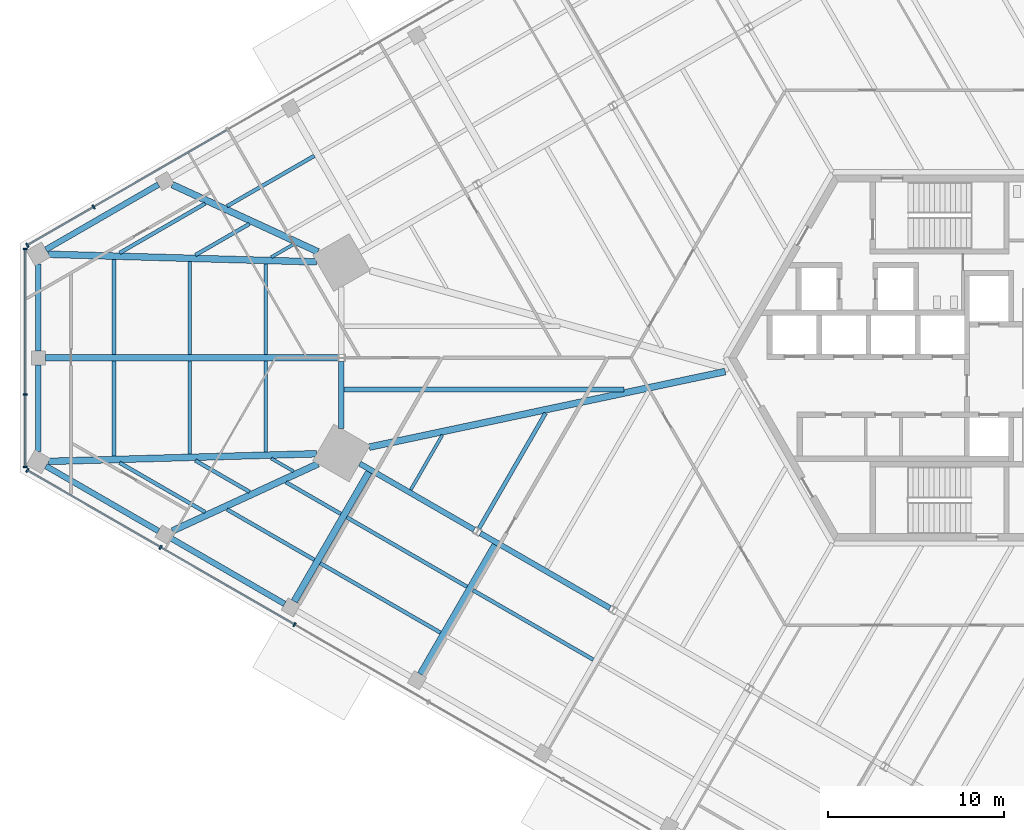
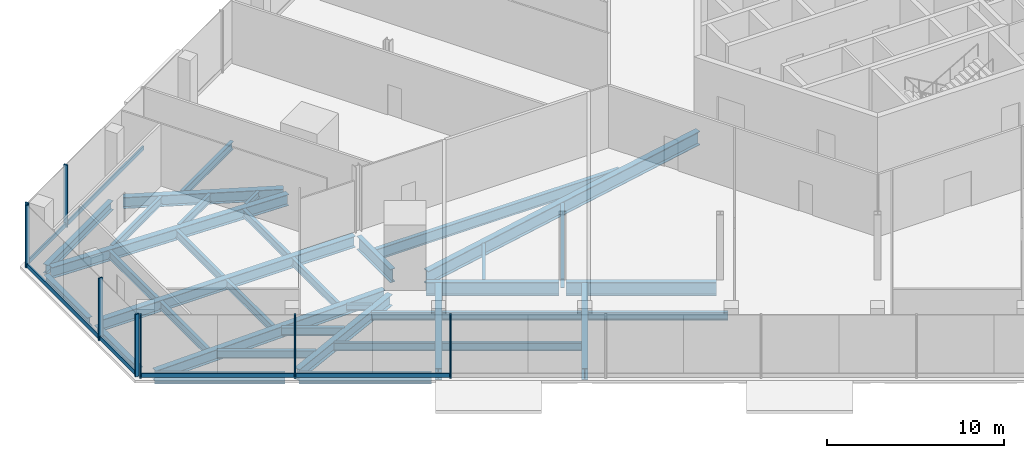
# One storey, part 7 of 27: 37 beams, 14 members, 3 elements without a shape of their own.
"""IFC4 building model written with IfcOpenShell, lengths in metres."""

from ifc_helpers import new_model, si_unit, direction, frame, origin, origin_2d, place, context, subcontext, project, spatial, rectangle, i_section, extrude, source, transform, mapped, material, material_profile, profile_set, type_object, element, aggregate, save


model = new_model("IFC4")

# Units and contexts
model_context = context("Model", 3, precision=1e-05, world=origin(), true_north=direction((0.0, 1.0)))
body_context = subcontext(model_context, "Body", "Model", "MODEL_VIEW")
ifc_project = project(units=[si_unit("LENGTHUNIT", "METRE"), si_unit("AREAUNIT", "SQUARE_METRE"), si_unit("VOLUMEUNIT", "CUBIC_METRE"), si_unit("PLANEANGLEUNIT", "RADIAN"), si_unit("MASSUNIT", "GRAM", prefix="KILO")], contexts=[model_context])

# Site, building, storey
site_placement = place(None, origin())
site = spatial("IfcSite", under=ifc_project, at=site_placement, CompositionType="ELEMENT")
building_placement = place(site_placement, origin())
building = spatial("IfcBuilding", under=site, at=building_placement, Name="Triune Harvest Tower", CompositionType="ELEMENT")
storey_placement = place(building_placement, frame((0.0, 0.0, 7.0)))
storey = spatial("IfcBuildingStorey", under=building, at=storey_placement, Name="L01", CompositionType="ELEMENT", Elevation=7.0)

# Beams
ifc_material_1 = material(Name="Steel ASTM A992 Gr 50", Category="steel")
ifc_material_profile_1 = material_profile(ifc_material_1, i_section(OverallWidth=0.309814453125, OverallDepth=0.93212890625, WebThickness=0.02099609375, FlangeThickness=0.034423828125, at=origin_2d()), Name="W36x210")
ifc_profile_set_1 = profile_set([ifc_material_profile_1], Name="Steel ASTM A992 Gr 50")
beam_type_1 = type_object("IfcBeamType", Name="SB-3 Spandrel beam W36x210", PredefinedType="SPANDREL", material=ifc_profile_set_1)
shared_shape_1 = source(origin(), body_context, "Body", "SweptSolid", [
    extrude(i_section(OverallWidth=0.309814453125, OverallDepth=0.93212890625, WebThickness=0.02099609375, FlangeThickness=0.034423828125, at=origin_2d()), origin(), (0.0, 0.0, 1.0), 7.508056640625),
])
beam_1_placement = place(storey_placement, frame((-32.949462890625, -6.010009765625, -0.666015625), z_axis=(0.866033425553, -0.499986105632, 0.0), x_axis=(0.499986105632, 0.866033425553, 0.0)))
element("IfcBeam", 1, at=beam_1_placement, inside=storey, type_object=beam_type_1, Name="beam/L01/SB17", PredefinedType="SPANDREL", context=body_context, shape_type="MappedRepresentation", body=[
    mapped(shared_shape_1, transform((0.0, 0.0, 0.0), scale=1.0)),
])
shared_shape_2 = source(origin(), body_context, "Body", "SweptSolid", [
    extrude(i_section(OverallWidth=0.309814453125, OverallDepth=0.93212890625, WebThickness=0.02099609375, FlangeThickness=0.034423828125, at=origin_2d()), origin(), (0.0, 0.0, 1.0), 8.506103515625),
])
beam_2_placement = place(storey_placement, frame((-26.097412109375, -9.966064453125, -0.666015625), z_axis=(0.866030246746, -0.49999161165, 0.0), x_axis=(0.49999161165, 0.866030246746, 0.0)))
element("IfcBeam", 2, at=beam_2_placement, inside=storey, type_object=beam_type_1, Name="beam/L01/SB18", PredefinedType="SPANDREL", context=body_context, shape_type="MappedRepresentation", body=[
    mapped(shared_shape_2, transform((0.0, 0.0, 0.0), scale=1.0)),
])
shared_shape_3 = source(origin(), body_context, "Body", "SweptSolid", [
    extrude(i_section(OverallWidth=0.309814453125, OverallDepth=0.93212890625, WebThickness=0.02099609375, FlangeThickness=0.034423828125, at=origin_2d()), origin(), (0.0, 0.0, 1.0), 3.822509765625),
])
beam_3_placement = place(storey_placement, frame((-33.988525390625, -0.201904296875, -0.666015625), z_axis=(0.0, -1.0, 0.0), x_axis=(1.0, 0.0, 0.0)))
element("IfcBeam", 3, at=beam_3_placement, inside=storey, type_object=beam_type_1, Name="beam/L01/SB16", PredefinedType="SPANDREL", context=body_context, shape_type="MappedRepresentation", body=[
    mapped(shared_shape_3, transform((0.0, 0.0, 0.0), scale=1.0)),
])
ifc_material_2 = material(Name="Steel ASTM A992 Gr 50", Category="steel")
ifc_material_profile_2 = material_profile(ifc_material_2, i_section(OverallWidth=0.383544921875, OverallDepth=0.9423828125, WebThickness=0.022216796875, FlangeThickness=0.039794921875, at=origin_2d()), Name="W36x232")
ifc_profile_set_2 = profile_set([ifc_material_profile_2], Name="Steel ASTM A992 Gr 50")
beam_type_2 = type_object("IfcBeamType", Name="HG-1 Hip girder W36x232", PredefinedType="BEAM", material=ifc_profile_set_2)
shared_shape_4 = source(origin(), body_context, "Body", "SweptSolid", [
    extrude(i_section(OverallWidth=0.383544921875, OverallDepth=0.9423828125, WebThickness=0.022216796875, FlangeThickness=0.039794921875, at=origin_2d()), origin(), (0.0, 0.0, 1.0), 20.676025390625),
])
beam_4_placement = place(storey_placement, frame((-32.4091796875, -5.07470703125, -0.671142578125), z_axis=(0.978185071399, 0.207735327022, 0.0), x_axis=(-0.207735327022, 0.978185071399, 0.0)))
element("IfcBeam", 4, at=beam_4_placement, inside=storey, type_object=beam_type_2, Name="beam/L01/HG5", PredefinedType="BEAM", context=body_context, shape_type="MappedRepresentation", body=[
    mapped(shared_shape_4, transform((0.0, 0.0, 0.0), scale=1.0)),
])
ifc_material_3 = material(Name="Steel ASTM A992 Gr 50", Category="steel")
ifc_material_profile_3 = material_profile(ifc_material_3, i_section(OverallWidth=0.22900390625, OverallDepth=0.612060546875, WebThickness=0.011962890625, FlangeThickness=0.01953125, at=origin_2d()), Name="W24x84")
ifc_profile_set_3 = profile_set([ifc_material_profile_3], Name="Steel ASTM A992 Gr 50")
beam_type_3 = type_object("IfcBeamType", Name="JT-3 Floor joist W24x84", PredefinedType="JOIST", material=ifc_profile_set_3)
shared_shape_5 = source(origin(), body_context, "Body", "SweptSolid", [
    extrude(i_section(OverallWidth=0.22900390625, OverallDepth=0.612060546875, WebThickness=0.011962890625, FlangeThickness=0.01953125, at=origin_2d()), origin(), (0.0, 0.0, 1.0), 7.558349609375),
])
beam_5_placement = place(storey_placement, frame((-26.170654296875, -9.68896484375, -0.506103515625), z_axis=(0.499991809969, 0.866030132249, 0.0), x_axis=(-0.866030132249, 0.499991809969, 0.0)))
element("IfcBeam", 5, at=beam_5_placement, inside=storey, type_object=beam_type_3, Name="beam/L01/JT28", PredefinedType="JOIST", context=body_context, shape_type="MappedRepresentation", body=[
    mapped(shared_shape_5, transform((0.0, 0.0, 0.0), scale=1.0)),
])
ifc_material_4 = material(Name="Steel ASTM A992 Gr 50", Category="steel")
ifc_material_profile_4 = material_profile(ifc_material_4, i_section(OverallWidth=0.2666015625, OverallDepth=0.7568359375, WebThickness=0.013916015625, FlangeThickness=0.019287109375, at=origin_2d()), Name="W30x108")
ifc_profile_set_4 = profile_set([ifc_material_profile_4], Name="Steel ASTM A992 Gr 50")
beam_type_4 = type_object("IfcBeamType", Name="JT-5 Floor joist W30x108", PredefinedType="JOIST", material=ifc_profile_set_4)
shared_shape_6 = source(origin(), body_context, "Body", "SweptSolid", [
    extrude(i_section(OverallWidth=0.2666015625, OverallDepth=0.7568359375, WebThickness=0.013916015625, FlangeThickness=0.019287109375, at=origin_2d()), origin(), (0.0, 0.0, 1.0), 15.9052734375),
])
beam_6_placement = place(storey_placement, frame((-33.833740234375, -1.80322265625, -0.57861328125), z_axis=(1.0, 0.0, 0.0), x_axis=(0.0, 1.0, 0.0)))
element("IfcBeam", 6, at=beam_6_placement, inside=storey, type_object=beam_type_4, Name="beam/L01/JT26", PredefinedType="JOIST", context=body_context, shape_type="MappedRepresentation", body=[
    mapped(shared_shape_6, transform((0.0, 0.0, 0.0), scale=1.0)),
])
ifc_material_5 = material(Name="Steel ASTM A992 Gr 50", Category="steel")
ifc_material_profile_5 = material_profile(ifc_material_5, i_section(OverallWidth=0.180908203125, OverallDepth=0.41650390625, WebThickness=0.010986328125, FlangeThickness=0.01806640625, at=origin_2d()), Name="W16x57")
ifc_profile_set_5 = profile_set([ifc_material_profile_5], Name="Steel ASTM A992 Gr 50")
beam_type_5 = type_object("IfcBeamType", Name="JT-1 Floor joist W16x57", PredefinedType="JOIST", material=ifc_profile_set_5)
shared_shape_7 = source(origin(), body_context, "Body", "SweptSolid", [
    extrude(i_section(OverallWidth=0.180908203125, OverallDepth=0.41650390625, WebThickness=0.010986328125, FlangeThickness=0.01806640625, at=origin_2d()), origin(), (0.0, 0.0, 1.0), 3.59716796875),
])
beam_7_placement = place(storey_placement, frame((-30.052978515625, -7.50341796875, -0.408203125), z_axis=(0.500000537794, 0.866025093288, 0.0), x_axis=(-0.866025093288, 0.500000537794, 0.0)))
element("IfcBeam", 7, at=beam_7_placement, inside=storey, type_object=beam_type_5, Name="beam/L01/JT27", PredefinedType="JOIST", context=body_context, shape_type="MappedRepresentation", body=[
    mapped(shared_shape_7, transform((0.0, 0.0, 0.0), scale=1.0)),
])
ifc_material_6 = material(Name="Steel ASTM A992 Gr 50", Category="steel")
ifc_material_profile_6 = material_profile(ifc_material_6, i_section(OverallWidth=0.32763671875, OverallDepth=0.62744140625, WebThickness=0.0166015625, FlangeThickness=0.027587890625, at=origin_2d()), Name="W24x146")
ifc_profile_set_6 = profile_set([ifc_material_profile_6], Name="Steel ASTM A992 Gr 50")
beam_type_6 = type_object("IfcBeamType", Name="PD-4 Podium edge beam W24x146", PredefinedType="BEAM", material=ifc_profile_set_6)
shared_shape_8 = source(origin(), body_context, "Body", "SweptSolid", [
    extrude(i_section(OverallWidth=0.32763671875, OverallDepth=0.62744140625, WebThickness=0.0166015625, FlangeThickness=0.027587890625, at=origin_2d()), origin(), (0.0, 0.0, 1.0), 7.47998046875),
])
beam_8_placement = place(storey_placement, frame((-43.69384765625, -10.239990234375, -0.513671875), z_axis=(0.866023067432, -0.500004046659, 0.0), x_axis=(0.500004046659, 0.866023067432, 0.0)))
element("IfcBeam", 8, at=beam_8_placement, inside=storey, type_object=beam_type_6, Name="beam/L01/PE27", PredefinedType="BEAM", context=body_context, shape_type="MappedRepresentation", body=[
    mapped(shared_shape_8, transform((0.0, 0.0, 0.0), scale=1.0)),
])
shared_shape_9 = source(origin(), body_context, "Body", "SweptSolid", [
    extrude(i_section(OverallWidth=0.32763671875, OverallDepth=0.62744140625, WebThickness=0.0166015625, FlangeThickness=0.027587890625, at=origin_2d()), origin(), (0.0, 0.0, 1.0), 4.922607421875),
])
for number, where, z_axis, x_axis, name in (
    (9, (-51.2109375, 5.322509765625, -0.513671875), (0.0, -1.0, 0.0), (1.0, 0.0, 0.0), "beam/L01/PE24"),
    (10, (-51.2109375, -0.39990234375, -0.513671875), (0.0, -1.0, 0.0), (1.0, 0.0, 0.0), "beam/L01/PE25"),
):
    element("IfcBeam", number, at=place(storey_placement, frame(where, z_axis=z_axis, x_axis=x_axis)), inside=storey, type_object=beam_type_6, Name=name, PredefinedType="BEAM", context=body_context, shape_type="MappedRepresentation", body=[
        mapped(shared_shape_9, transform((0.0, 0.0, 0.0), scale=1.0)),
    ])
shared_shape_10 = source(origin(), body_context, "Body", "SweptSolid", [
    extrude(i_section(OverallWidth=0.32763671875, OverallDepth=0.62744140625, WebThickness=0.0166015625, FlangeThickness=0.027587890625, at=origin_2d()), origin(), (0.0, 0.0, 1.0), 7.380126953125),
])
for number, where, z_axis, x_axis, name in (
    (11, (-44.38671875, 9.840087890625, -0.513671875), (-0.866017563931, -0.500013578778, 0.0), (0.500013578778, -0.866017563931, 0.0), "beam/L01/PE23"),
    (12, (-50.778076171875, -6.14990234375, -0.513671875), (0.866017563931, -0.500013578778, 0.0), (0.500013578778, 0.866017563931, 0.0), "beam/L01/PE26"),
):
    element("IfcBeam", number, at=place(storey_placement, frame(where, z_axis=z_axis, x_axis=x_axis)), inside=storey, type_object=beam_type_6, Name=name, PredefinedType="BEAM", context=body_context, shape_type="MappedRepresentation", body=[
        mapped(shared_shape_10, transform((0.0, 0.0, 0.0), scale=1.0)),
    ])
ifc_material_7 = material(Name="Steel ASTM A992 Gr 50", Category="steel")
ifc_material_profile_7 = material_profile(ifc_material_7, i_section(OverallWidth=0.381103515625, OverallDepth=0.772216796875, WebThickness=0.0166015625, FlangeThickness=0.027099609375, at=origin_2d()), Name="W30x173")
ifc_profile_set_7 = profile_set([ifc_material_profile_7], Name="Steel ASTM A992 Gr 50")
beam_type_7 = type_object("IfcBeamType", Name="PD-3 Podium girder W30x173", PredefinedType="BEAM", material=ifc_profile_set_7)
shared_shape_11 = source(origin(), body_context, "Body", "SweptSolid", [
    extrude(i_section(OverallWidth=0.381103515625, OverallDepth=0.772216796875, WebThickness=0.0166015625, FlangeThickness=0.027099609375, at=origin_2d()), origin(), (0.0, 0.0, 1.0), 8.480712890625),
])
beam_9_placement = place(storey_placement, frame((-29.498779296875, -17.9736328125, -0.586181640625), z_axis=(0.499990755813, 0.866030740852, 0.0), x_axis=(-0.866030740852, 0.499990755813, 0.0)))
element("IfcBeam", 13, at=beam_9_placement, inside=storey, type_object=beam_type_7, Name="beam/L01/PR31", PredefinedType="BEAM", context=body_context, shape_type="MappedRepresentation", body=[
    mapped(shared_shape_11, transform((0.0, 0.0, 0.0), scale=1.0)),
])
shared_shape_12 = source(origin(), body_context, "Body", "SweptSolid", [
    extrude(i_section(OverallWidth=0.381103515625, OverallDepth=0.772216796875, WebThickness=0.0166015625, FlangeThickness=0.027099609375, at=origin_2d()), origin(), (0.0, 0.0, 1.0), 15.232666015625),
])
for number, where, z_axis, x_axis, name in (
    (14, (-50.6240234375, 5.88330078125, -0.586181640625), (0.999595712635, -0.028432574304, 0.0), (0.028432574304, 0.999595712635, 0.0), "beam/L01/PR26"),
    (15, (-50.6240234375, -5.88330078125, -0.586181640625), (0.999595712635, 0.028432574304, 0.0), (-0.028432574304, 0.999595712635, 0.0), "beam/L01/PR28"),
):
    element("IfcBeam", number, at=place(storey_placement, frame(where, z_axis=z_axis, x_axis=x_axis)), inside=storey, type_object=beam_type_7, Name=name, PredefinedType="BEAM", context=body_context, shape_type="MappedRepresentation", body=[
        mapped(shared_shape_12, transform((0.0, 0.0, 0.0), scale=1.0)),
    ])
shared_shape_13 = source(origin(), body_context, "Body", "SweptSolid", [
    extrude(i_section(OverallWidth=0.381103515625, OverallDepth=0.772216796875, WebThickness=0.0166015625, FlangeThickness=0.027099609375, at=origin_2d()), origin(), (0.0, 0.0, 1.0), 8.48046875),
])
beam_10_placement = place(storey_placement, frame((-36.669677734375, -13.83349609375, -0.586181640625), z_axis=(0.50002481252, 0.866011077795, 0.0), x_axis=(-0.866011077795, 0.50002481252, 0.0)))
element("IfcBeam", 16, at=beam_10_placement, inside=storey, type_object=beam_type_7, Name="beam/L01/PR30", PredefinedType="BEAM", context=body_context, shape_type="MappedRepresentation", body=[
    mapped(shared_shape_13, transform((0.0, 0.0, 0.0), scale=1.0)),
])
shared_shape_14 = source(origin(), body_context, "Body", "SweptSolid", [
    extrude(i_section(OverallWidth=0.381103515625, OverallDepth=0.772216796875, WebThickness=0.0166015625, FlangeThickness=0.027099609375, at=origin_2d()), origin(), (0.0, 0.0, 1.0), 9.10693359375),
])
for number, where, z_axis, x_axis, name in (
    (17, (-43.59521484375, 9.8349609375, -0.586181640625), (0.908279245406, -0.418364449213, 0.0), (0.418364449213, 0.908279245406, 0.0), "beam/L01/PR25"),
    (18, (-43.59521484375, -9.8349609375, -0.586181640625), (0.908279245406, 0.418364449213, 0.0), (-0.418364449213, 0.908279245406, 0.0), "beam/L01/PR29"),
):
    element("IfcBeam", number, at=place(storey_placement, frame(where, z_axis=z_axis, x_axis=x_axis)), inside=storey, type_object=beam_type_7, Name=name, PredefinedType="BEAM", context=body_context, shape_type="MappedRepresentation", body=[
        mapped(shared_shape_14, transform((0.0, 0.0, 0.0), scale=1.0)),
    ])
shared_shape_15 = source(origin(), body_context, "Body", "SweptSolid", [
    extrude(i_section(OverallWidth=0.381103515625, OverallDepth=0.772216796875, WebThickness=0.0166015625, FlangeThickness=0.027099609375, at=origin_2d()), origin(), (0.0, 0.0, 1.0), 16.619140625),
])
beam_11_placement = place(storey_placement, frame((-50.81103515625, 0.0, -0.586181640625), z_axis=(1.0, 0.0, 0.0), x_axis=(0.0, 1.0, 0.0)))
element("IfcBeam", 19, at=beam_11_placement, inside=storey, type_object=beam_type_7, Name="beam/L01/PR27", PredefinedType="BEAM", context=body_context, shape_type="MappedRepresentation", body=[
    mapped(shared_shape_15, transform((0.0, 0.0, 0.0), scale=1.0)),
])
ifc_material_8 = material(Name="Steel ASTM A992 Gr 50", Category="steel")
ifc_material_profile_8 = material_profile(ifc_material_8, i_section(OverallWidth=0.2138671875, OverallDepth=0.548583984375, WebThickness=0.0146484375, FlangeThickness=0.023681640625, at=origin_2d()), Name="W21x93")
ifc_profile_set_8 = profile_set([ifc_material_profile_8], Name="Steel ASTM A992 Gr 50")
beam_type_8 = type_object("IfcBeamType", Name="PD-5 Podium joist W21x93", PredefinedType="JOIST", material=ifc_profile_set_8)
shared_shape_16 = source(origin(), body_context, "Body", "SweptSolid", [
    extrude(i_section(OverallWidth=0.2138671875, OverallDepth=0.548583984375, WebThickness=0.0146484375, FlangeThickness=0.023681640625, at=origin_2d()), origin(), (0.0, 0.0, 1.0), 5.613525390625),
])
for number, where, z_axis, x_axis, name in (
    (20, (-41.7294921875, 8.765869140625, -0.474365234375), (-0.866010310244, -0.500026141868, 0.0), (0.500026141868, -0.866010310244, 0.0), "beam/L01/PJ47"),
    (21, (-46.5908203125, -5.958984375, -0.474365234375), (0.866010310244, -0.500026141868, 0.0), (0.500026141868, 0.866010310244, 0.0), "beam/L01/PJ56"),
):
    element("IfcBeam", number, at=place(storey_placement, frame(where, z_axis=z_axis, x_axis=x_axis)), inside=storey, type_object=beam_type_8, Name=name, PredefinedType="JOIST", context=body_context, shape_type="MappedRepresentation", body=[
        mapped(shared_shape_16, transform((0.0, 0.0, 0.0), scale=1.0)),
    ])
shared_shape_17 = source(origin(), body_context, "Body", "SweptSolid", [
    extrude(i_section(OverallWidth=0.2138671875, OverallDepth=0.548583984375, WebThickness=0.0146484375, FlangeThickness=0.023681640625, at=origin_2d()), origin(), (0.0, 0.0, 1.0), 3.59619140625),
])
beam_12_placement = place(storey_placement, frame((-37.13720703125, -7.070068359375, -0.474365234375), z_axis=(0.866032969717, -0.499986895192, 0.0), x_axis=(0.499986895192, 0.866032969717, 0.0)))
element("IfcBeam", 22, at=beam_12_placement, inside=storey, type_object=beam_type_8, Name="beam/L01/PJ60", PredefinedType="JOIST", context=body_context, shape_type="MappedRepresentation", body=[
    mapped(shared_shape_17, transform((0.0, 0.0, 0.0), scale=1.0)),
])
shared_shape_18 = source(origin(), body_context, "Body", "SweptSolid", [
    extrude(i_section(OverallWidth=0.2138671875, OverallDepth=0.548583984375, WebThickness=0.0146484375, FlangeThickness=0.023681640625, at=origin_2d()), origin(), (0.0, 0.0, 1.0), 7.899169921875),
])
for number, where, z_axis, x_axis, name in (
    (23, (-35.19873046875, -11.6669921875, -0.474365234375), (0.866030148722, -0.499991781437, 0.0), (0.499991781437, 0.866030148722, 0.0), "beam/L01/PJ61"),
    (24, (-33.69287109375, -9.05859375, -0.474365234375), (0.866030148722, -0.499991781437, 0.0), (0.499991781437, 0.866030148722, 0.0), "beam/L01/PJ62"),
    (25, (-26.522216796875, -13.198486328125, -0.474365234375), (0.866016765394, -0.500014961832, 0.0), (0.500014961832, 0.866016765394, 0.0), "beam/L01/PJ64"),
):
    element("IfcBeam", number, at=place(storey_placement, frame(where, z_axis=z_axis, x_axis=x_axis)), inside=storey, type_object=beam_type_8, Name=name, PredefinedType="JOIST", context=body_context, shape_type="MappedRepresentation", body=[
        mapped(shared_shape_18, transform((0.0, 0.0, 0.0), scale=1.0)),
    ])
shared_shape_19 = source(origin(), body_context, "Body", "SweptSolid", [
    extrude(i_section(OverallWidth=0.2138671875, OverallDepth=0.548583984375, WebThickness=0.0146484375, FlangeThickness=0.023681640625, at=origin_2d()), origin(), (0.0, 0.0, 1.0), 5.27392578125),
])
for number, where, z_axis, x_axis, name in (
    (26, (-42.599853515625, 5.46435546875, -0.474365234375), (0.0, -1.0, 0.0), (1.0, 0.0, 0.0), "beam/L01/PJ51"),
    (27, (-42.599853515625, -0.1904296875, -0.474365234375), (0.0, -1.0, 0.0), (1.0, 0.0, 0.0), "beam/L01/PJ54"),
):
    element("IfcBeam", number, at=place(storey_placement, frame(where, z_axis=z_axis, x_axis=x_axis)), inside=storey, type_object=beam_type_8, Name=name, PredefinedType="JOIST", context=body_context, shape_type="MappedRepresentation", body=[
        mapped(shared_shape_19, transform((0.0, 0.0, 0.0), scale=1.0)),
    ])
shared_shape_20 = source(origin(), body_context, "Body", "SweptSolid", [
    extrude(i_section(OverallWidth=0.2138671875, OverallDepth=0.548583984375, WebThickness=0.0146484375, FlangeThickness=0.023681640625, at=origin_2d()), origin(), (0.0, 0.0, 1.0), 5.1513671875),
])
for number, where, z_axis, x_axis, name in (
    (28, (-38.294189453125, 5.341796875, -0.474365234375), (0.0, -1.0, 0.0), (1.0, 0.0, 0.0), "beam/L01/PJ52"),
    (29, (-38.294189453125, -0.1904296875, -0.474365234375), (0.0, -1.0, 0.0), (1.0, 0.0, 0.0), "beam/L01/PJ55"),
):
    element("IfcBeam", number, at=place(storey_placement, frame(where, z_axis=z_axis, x_axis=x_axis)), inside=storey, type_object=beam_type_8, Name=name, PredefinedType="JOIST", context=body_context, shape_type="MappedRepresentation", body=[
        mapped(shared_shape_20, transform((0.0, 0.0, 0.0), scale=1.0)),
    ])
shared_shape_21 = source(origin(), body_context, "Body", "SweptSolid", [
    extrude(i_section(OverallWidth=0.2138671875, OverallDepth=0.548583984375, WebThickness=0.0146484375, FlangeThickness=0.023681640625, at=origin_2d()), origin(), (0.0, 0.0, 1.0), 3.54345703125),
])
for number, where, z_axis, x_axis, name in (
    (30, (-39.216552734375, 7.6083984375, -0.474365234375), (-0.866016916595, -0.500014699955, 0.0), (0.500014699955, -0.866016916595, 0.0), "beam/L01/PJ48"),
    (31, (-42.28515625, -5.836669921875, -0.474365234375), (0.866016916595, -0.500014699955, 0.0), (0.500014699955, 0.866016916595, 0.0), "beam/L01/PJ57"),
):
    element("IfcBeam", number, at=place(storey_placement, frame(where, z_axis=z_axis, x_axis=x_axis)), inside=storey, type_object=beam_type_8, Name=name, PredefinedType="JOIST", context=body_context, shape_type="MappedRepresentation", body=[
        mapped(shared_shape_21, transform((0.0, 0.0, 0.0), scale=1.0)),
    ])
shared_shape_22 = source(origin(), body_context, "Body", "SweptSolid", [
    extrude(i_section(OverallWidth=0.2138671875, OverallDepth=0.548583984375, WebThickness=0.0146484375, FlangeThickness=0.023681640625, at=origin_2d()), origin(), (0.0, 0.0, 1.0), 5.726318359375),
])
for number, where, z_axis, x_axis, name in (
    (32, (-35.528564453125, 11.476318359375, -0.474365234375), (-0.866038622153, -0.499977104415, 0.0), (0.499977104415, -0.866038622153, 0.0), "beam/L01/PJ45"),
    (33, (-40.48779296875, -8.61328125, -0.474365234375), (0.866038622153, -0.499977104415, 0.0), (0.499977104415, 0.866038622153, 0.0), "beam/L01/PJ59"),
):
    element("IfcBeam", number, at=place(storey_placement, frame(where, z_axis=z_axis, x_axis=x_axis)), inside=storey, type_object=beam_type_8, Name=name, PredefinedType="JOIST", context=body_context, shape_type="MappedRepresentation", body=[
        mapped(shared_shape_22, transform((0.0, 0.0, 0.0), scale=1.0)),
    ])
ifc_material_9 = material(Name="Steel ASTM A992 Gr 50", Category="steel")
ifc_material_profile_9 = material_profile(ifc_material_9, i_section(OverallWidth=0.180908203125, OverallDepth=0.41650390625, WebThickness=0.010986328125, FlangeThickness=0.01806640625, at=origin_2d()), Name="W16x57")
ifc_profile_set_9 = profile_set([ifc_material_profile_9], Name="Steel ASTM A992 Gr 50")
beam_type_9 = type_object("IfcBeamType", Name="PD-6 Podium short joist W16x57", PredefinedType="JOIST", material=ifc_profile_set_9)
shared_shape_23 = source(origin(), body_context, "Body", "SweptSolid", [
    extrude(i_section(OverallWidth=0.180908203125, OverallDepth=0.41650390625, WebThickness=0.010986328125, FlangeThickness=0.01806640625, at=origin_2d()), origin(), (0.0, 0.0, 1.0), 1.47314453125),
])
for number, where, z_axis, x_axis, name in (
    (34, (-36.70361328125, 6.45068359375, -0.408203125), (-0.86604208752, -0.499971101808, 0.0), (0.499971101808, -0.86604208752, 0.0), "beam/L01/PJ49"),
    (35, (-37.9794921875, -5.714111328125, -0.408203125), (0.86604208752, -0.499971101808, 0.0), (0.499971101808, 0.86604208752, 0.0), "beam/L01/PJ58"),
):
    element("IfcBeam", number, at=place(storey_placement, frame(where, z_axis=z_axis, x_axis=x_axis)), inside=storey, type_object=beam_type_9, Name=name, PredefinedType="JOIST", context=body_context, shape_type="MappedRepresentation", body=[
        mapped(shared_shape_23, transform((0.0, 0.0, 0.0), scale=1.0)),
    ])
shared_shape_24 = source(origin(), body_context, "Body", "SweptSolid", [
    extrude(i_section(OverallWidth=0.2138671875, OverallDepth=0.548583984375, WebThickness=0.0146484375, FlangeThickness=0.023681640625, at=origin_2d()), origin(), (0.0, 0.0, 1.0), 5.396484375),
])
for number, where, z_axis, x_axis, name in (
    (36, (-46.905517578125, 5.5869140625, -0.474365234375), (0.0, -1.0, 0.0), (1.0, 0.0, 0.0), "beam/L01/PJ50"),
    (37, (-46.905517578125, -0.1904296875, -0.474365234375), (0.0, -1.0, 0.0), (1.0, 0.0, 0.0), "beam/L01/PJ53"),
):
    element("IfcBeam", number, at=place(storey_placement, frame(where, z_axis=z_axis, x_axis=x_axis)), inside=storey, type_object=beam_type_8, Name=name, PredefinedType="JOIST", context=body_context, shape_type="MappedRepresentation", body=[
        mapped(shared_shape_24, transform((0.0, 0.0, 0.0), scale=1.0)),
    ])

# Curtain wall, members
ifc_material_10 = material(Name="Aluminium bronze anodised", Category="aluminium")
curtain_wall_type = type_object("IfcCurtainWallType", Name="CW-2 Podium shopfront wall", PredefinedType="NOTDEFINED", material=ifc_material_10)
curtain_wall_1_placement = place(storey_placement, origin())
curtain_wall_1 = element("IfcCurtainWall", 38, at=curtain_wall_1_placement, inside=storey, type_object=curtain_wall_type, Name="CW-2 PD-F4 L01 run 1")
ifc_material_11 = material(Name="Aluminium bronze anodised", Category="aluminium")
ifc_material_profile_10 = material_profile(ifc_material_11, rectangle(XDim=0.10009765625, YDim=0.300048828125, at=origin_2d()), Name="TR-2 transom 100 x 300")
ifc_profile_set_10 = profile_set([ifc_material_profile_10], Name="Aluminium bronze anodised")
member_type_1 = type_object("IfcMemberType", Name="TR-2 transom 100 x 300", PredefinedType="USERDEFINED", material=ifc_profile_set_10)
shared_shape_25 = source(origin(), body_context, "Body", "SweptSolid", [
    extrude(rectangle(XDim=0.10009765625, YDim=0.300048828125, at=origin_2d()), origin(), (0.0, 0.0, 1.0), 8.1806640625),
])
member_1_placement = place(storey_placement, frame((-51.9501953125, 6.146728515625, 0.14990234375), z_axis=(0.0, -1.0, 0.0), x_axis=(1.0, 0.0, 0.0)))
member_1 = element("IfcMember", 39, at=member_1_placement, type_object=member_type_1, Name="CW-2 transom PD-F4 1.1", ObjectType="TRANSOM", PredefinedType="USERDEFINED", context=body_context, shape_type="MappedRepresentation", body=[
    mapped(shared_shape_25, transform((0.0, 0.0, 0.0), scale=1.0)),
])
shared_shape_26 = source(origin(), body_context, "Body", "SweptSolid", [
    extrude(rectangle(XDim=0.10009765625, YDim=0.300048828125, at=origin_2d()), origin(), (0.0, 0.0, 1.0), 4.022705078125),
])
member_2_placement = place(storey_placement, frame((-51.9501953125, -2.1240234375, 0.14990234375), z_axis=(0.0, -1.0, 0.0), x_axis=(1.0, 0.0, 0.0)))
member_2 = element("IfcMember", 40, at=member_2_placement, type_object=member_type_1, Name="CW-2 transom PD-F4 1.2", ObjectType="TRANSOM", PredefinedType="USERDEFINED", context=body_context, shape_type="MappedRepresentation", body=[
    mapped(shared_shape_26, transform((0.0, 0.0, 0.0), scale=1.0)),
])

curtain_wall_2_placement = place(storey_placement, origin())
curtain_wall_2 = element("IfcCurtainWall", 41, at=curtain_wall_2_placement, inside=storey, type_object=curtain_wall_type, Name="CW-2 PD-F3 L01 run 1")
ifc_material_12 = material(Name="Aluminium bronze anodised", Category="aluminium")
ifc_material_profile_11 = material_profile(ifc_material_12, rectangle(XDim=0.25, YDim=0.090087890625, at=origin_2d()), Name="MU-2 mullion 90 x 250")
ifc_profile_set_11 = profile_set([ifc_material_profile_11], Name="Aluminium bronze anodised")
member_type_2 = type_object("IfcMemberType", Name="MU-2 mullion 90 x 250", PredefinedType="MULLION", material=ifc_profile_set_11)
shared_shape_27 = source(origin(), body_context, "Body", "SweptSolid", [
    extrude(rectangle(XDim=0.25, YDim=0.090087890625, at=origin_2d()), origin(), (0.0, 0.0, 1.0), 4.300048828125),
])
member_3_placement = place(storey_placement, frame((-48.067626953125, 8.568359375, 0.0), z_axis=(0.0, 0.0, 1.0), x_axis=(0.500000221117, -0.866025276122, 0.0)))
member_3 = element("IfcMember", 42, at=member_3_placement, type_object=member_type_2, Name="CW-2 mullion PD-F3 1.19", PredefinedType="MULLION", context=body_context, shape_type="MappedRepresentation", body=[
    mapped(shared_shape_27, transform((0.0, 0.0, 0.0), scale=1.0)),
])
member_4_placement = place(storey_placement, frame((-51.833251953125, 6.394287109375, 0.0), z_axis=(0.0, 0.0, 1.0), x_axis=(0.500000221117, -0.866025276122, 0.0)))
member_4 = element("IfcMember", 43, at=member_4_placement, type_object=member_type_2, Name="CW-2 mullion PD-F3 1.20", PredefinedType="MULLION", context=body_context, shape_type="MappedRepresentation", body=[
    mapped(shared_shape_27, transform((0.0, 0.0, 0.0), scale=1.0)),
])

# Member
member_5_placement = place(storey_placement, frame((-51.9501953125, 6.19189453125, 0.0), z_axis=(0.0, 0.0, 1.0), x_axis=(1.0, 0.0, 0.0)))
member_5 = element("IfcMember", 44, at=member_5_placement, type_object=member_type_2, Name="CW-2 mullion PD-F4 1.1", PredefinedType="MULLION", context=body_context, shape_type="MappedRepresentation", body=[
    mapped(shared_shape_27, transform((0.0, 0.0, 0.0), scale=1.0)),
])

member_6_placement = place(storey_placement, frame((-51.9501953125, -2.078857421875, 0.0), z_axis=(0.0, 0.0, 1.0), x_axis=(1.0, 0.0, 0.0)))
member_6 = element("IfcMember", 45, at=member_6_placement, type_object=member_type_2, Name="CW-2 mullion PD-F4 1.3", PredefinedType="MULLION", context=body_context, shape_type="MappedRepresentation", body=[
    mapped(shared_shape_27, transform((0.0, 0.0, 0.0), scale=1.0)),
])

member_7_placement = place(storey_placement, frame((-51.9501953125, -6.19189453125, 0.0), z_axis=(0.0, 0.0, 1.0), x_axis=(1.0, 0.0, 0.0)))
member_7 = element("IfcMember", 46, at=member_7_placement, type_object=member_type_2, Name="CW-2 mullion PD-F4 1.4", PredefinedType="MULLION", context=body_context, shape_type="MappedRepresentation", body=[
    mapped(shared_shape_27, transform((0.0, 0.0, 0.0), scale=1.0)),
])

aggregate(curtain_wall_1, [member_5, member_6, member_7, member_1, member_2])

# Curtain wall, members
curtain_wall_3_placement = place(storey_placement, origin())
curtain_wall_3 = element("IfcCurtainWall", 47, at=curtain_wall_3_placement, inside=storey, type_object=curtain_wall_type, Name="CW-2 PD-F5 L01 run 1")
member_8_placement = place(storey_placement, frame((-51.833251953125, -6.394287109375, 0.0), z_axis=(0.0, 0.0, 1.0), x_axis=(0.500000221117, 0.866025276122, 0.0)))
member_8 = element("IfcMember", 48, at=member_8_placement, type_object=member_type_2, Name="CW-2 mullion PD-F5 1.1", PredefinedType="MULLION", context=body_context, shape_type="MappedRepresentation", body=[
    mapped(shared_shape_27, transform((0.0, 0.0, 0.0), scale=1.0)),
])
member_9_placement = place(storey_placement, frame((-44.2626953125, -10.76513671875, 0.0), z_axis=(0.0, 0.0, 1.0), x_axis=(0.500000221117, 0.866025276122, 0.0)))
member_9 = element("IfcMember", 49, at=member_9_placement, type_object=member_type_2, Name="CW-2 mullion PD-F5 1.3", PredefinedType="MULLION", context=body_context, shape_type="MappedRepresentation", body=[
    mapped(shared_shape_27, transform((0.0, 0.0, 0.0), scale=1.0)),
])
member_10_placement = place(storey_placement, frame((-36.6533203125, -15.158447265625, 0.0), z_axis=(0.0, 0.0, 1.0), x_axis=(0.500000221117, 0.866025276122, 0.0)))
member_10 = element("IfcMember", 50, at=member_10_placement, type_object=member_type_2, Name="CW-2 mullion PD-F5 1.5", PredefinedType="MULLION", context=body_context, shape_type="MappedRepresentation", body=[
    mapped(shared_shape_27, transform((0.0, 0.0, 0.0), scale=1.0)),
])

# Member
shared_shape_28 = source(origin(), body_context, "Body", "SweptSolid", [
    extrude(rectangle(XDim=0.10009765625, YDim=0.300048828125, at=origin_2d()), origin(), (0.0, 0.0, 1.0), 8.696533203125),
])
member_11_placement = place(storey_placement, frame((-40.4970703125, 12.939208984375, 0.14990234375), z_axis=(-0.866033651025, -0.499985715088, 0.0), x_axis=(0.499985715088, -0.866033651025, 0.0)))
member_11 = element("IfcMember", 51, at=member_11_placement, type_object=member_type_1, Name="CW-2 transom PD-F3 1.9", ObjectType="TRANSOM", PredefinedType="USERDEFINED", context=body_context, shape_type="MappedRepresentation", body=[
    mapped(shared_shape_28, transform((0.0, 0.0, 0.0), scale=1.0)),
])

shared_shape_29 = source(origin(), body_context, "Body", "SweptSolid", [
    extrude(rectangle(XDim=0.10009765625, YDim=0.300048828125, at=origin_2d()), origin(), (0.0, 0.0, 1.0), 8.69677734375),
])
member_12_placement = place(storey_placement, frame((-44.223876953125, -10.78759765625, 0.14990234375), z_axis=(0.866028513234, -0.499994614237, 0.0), x_axis=(0.499994614237, 0.866028513234, 0.0)))
member_12 = element("IfcMember", 52, at=member_12_placement, type_object=member_type_1, Name="CW-2 transom PD-F5 1.2", ObjectType="TRANSOM", PredefinedType="USERDEFINED", context=body_context, shape_type="MappedRepresentation", body=[
    mapped(shared_shape_29, transform((0.0, 0.0, 0.0), scale=1.0)),
])

shared_shape_30 = source(origin(), body_context, "Body", "SweptSolid", [
    extrude(rectangle(XDim=0.10009765625, YDim=0.300048828125, at=origin_2d()), origin(), (0.0, 0.0, 1.0), 8.65185546875),
])
member_13_placement = place(storey_placement, frame((-51.79443359375, -6.416748046875, 0.14990234375), z_axis=(0.866023934592, -0.500002544707, 0.0), x_axis=(0.500002544707, 0.866023934592, 0.0)))
member_13 = element("IfcMember", 53, at=member_13_placement, type_object=member_type_1, Name="CW-2 transom PD-F5 1.1", ObjectType="TRANSOM", PredefinedType="USERDEFINED", context=body_context, shape_type="MappedRepresentation", body=[
    mapped(shared_shape_30, transform((0.0, 0.0, 0.0), scale=1.0)),
])

aggregate(curtain_wall_3, [member_8, member_9, member_10, member_13, member_12])

shared_shape_31 = source(origin(), body_context, "Body", "SweptSolid", [
    extrude(rectangle(XDim=0.10009765625, YDim=0.300048828125, at=origin_2d()), origin(), (0.0, 0.0, 1.0), 4.258544921875),
])
member_14_placement = place(storey_placement, frame((-48.1064453125, 8.5458984375, 0.14990234375), z_axis=(-0.866036653373, -0.499980514634, 0.0), x_axis=(0.499980514634, -0.866036653373, 0.0)))
member_14 = element("IfcMember", 54, at=member_14_placement, type_object=member_type_1, Name="CW-2 transom PD-F3 1.10", ObjectType="TRANSOM", PredefinedType="USERDEFINED", context=body_context, shape_type="MappedRepresentation", body=[
    mapped(shared_shape_31, transform((0.0, 0.0, 0.0), scale=1.0)),
])

aggregate(curtain_wall_2, [member_3, member_4, member_11, member_14])

save(model, "model.ifc")
